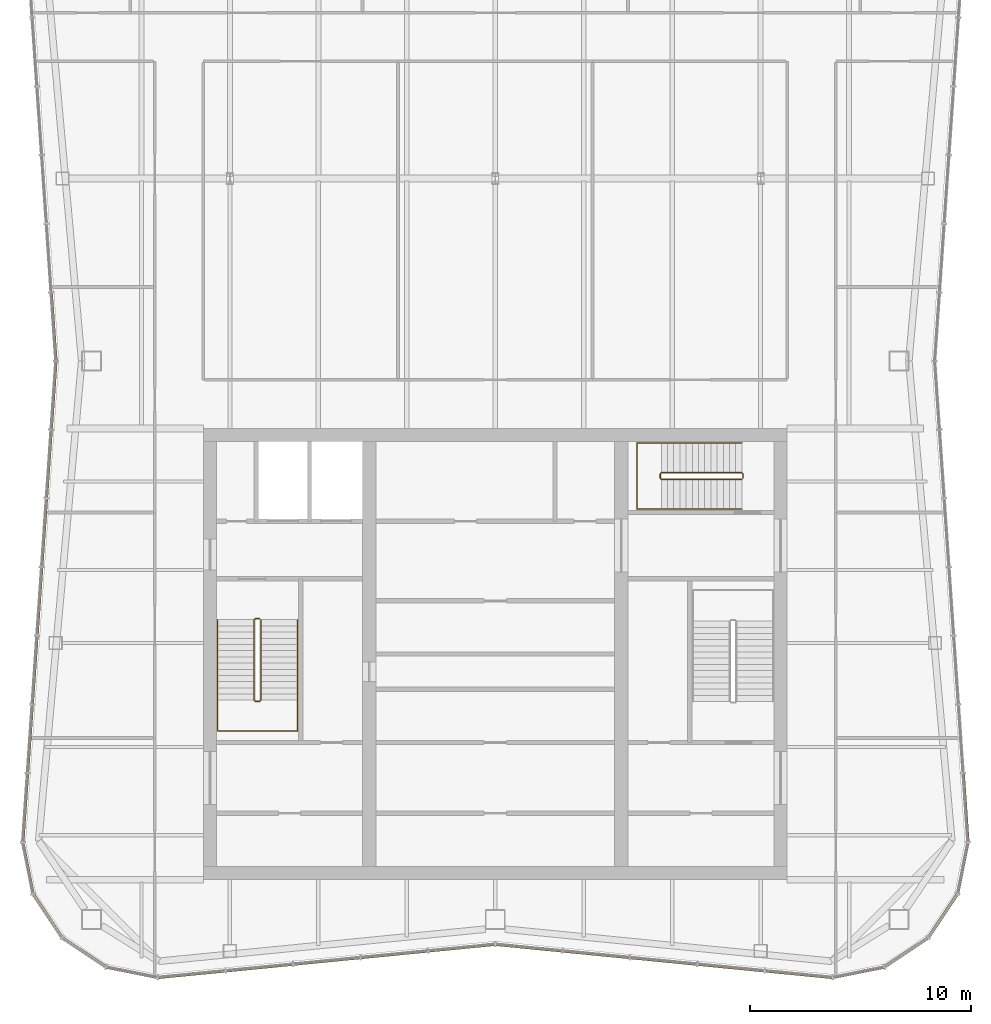
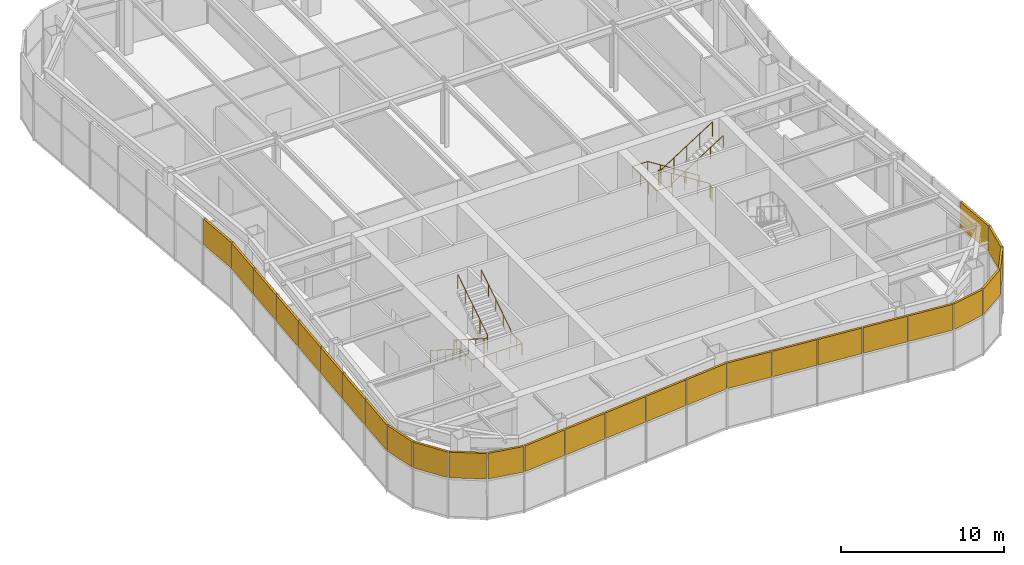
# One storey, part 12 of 13: 27 shading devices, 4 railings, 5 elements without a shape of their own.
"""IFC4 building model written with IfcOpenShell, lengths in metres."""

from ifc_helpers import new_model, si_unit, direction, frame, origin, origin_2d, place, context, subcontext, project, spatial, rectangle, circle, extrude, material, layer, layer_set, type_object, element, aggregate, save


model = new_model("IFC4")

# Units and contexts
model_context = context("Model", 3, precision=1e-05, world=origin(), true_north=direction((0.0, 1.0)))
body_context = subcontext(model_context, "Body", "Model", "MODEL_VIEW")
ifc_project = project(units=[si_unit("LENGTHUNIT", "METRE"), si_unit("AREAUNIT", "SQUARE_METRE"), si_unit("VOLUMEUNIT", "CUBIC_METRE"), si_unit("PLANEANGLEUNIT", "RADIAN"), si_unit("MASSUNIT", "GRAM", prefix="KILO")], contexts=[model_context])

# Site, building, storey
site_placement = place(None, origin())
site = spatial("IfcSite", under=ifc_project, at=site_placement, CompositionType="ELEMENT")
building_placement = place(site_placement, origin())
building = spatial("IfcBuilding", under=site, at=building_placement, Name="Verdant Reach Tower", CompositionType="ELEMENT")
storey_placement = place(building_placement, frame((0.0, 0.0, 349.5)))
storey = spatial("IfcBuildingStorey", under=building, at=storey_placement, Name="L79 Plant", CompositionType="ELEMENT", Elevation=349.5)

# Railings
ifc_material_1 = material(Name="Stainless steel", Category="steel")
railing_type_1 = type_object("IfcRailingType", Name="CO-GUARD", PredefinedType="GUARDRAIL", material=ifc_material_1)
railing_1_placement = place(storey_placement, frame((-10.64990234375, 29.60009765625, 0.0)))
element("IfcRailing", 1, at=railing_1_placement, inside=storey, type_object=railing_type_1, Name="L79 Plant ST-1 stair guard 1", PredefinedType="GUARDRAIL", context=body_context, shape_type="SweptSolid", body=[
    extrude(circle(Radius=0.02392578125, at=origin_2d()), frame((0.0, 0.0, 1.076171875), z_axis=(-1.0, 0.0, 0.0), x_axis=(0.0, -1.0, 0.0)), (0.0, 0.0, 1.0), 0.2001953125),
    extrude(circle(Radius=0.02392578125, at=origin_2d()), frame((-0.2001953125, 0.0, 1.076171875), z_axis=(-0.25949872427, -0.26077077684, 0.929870428634), x_axis=(0.708833529934, -0.705375805398, 0.0)), (0.0, 0.0, 1.0), 0.19189453125),
    extrude(circle(Radius=0.02392578125, at=origin_2d()), frame((-0.25, -0.050048828125, 1.25439453125), z_axis=(0.0, -0.843127859045, 0.537713132908), x_axis=(1.0, 0.0, 0.0)), (0.0, 0.0, 1.0), 4.3173828125),
    extrude(circle(Radius=0.02392578125, at=origin_2d()), frame((-0.25, -3.690185546875, 3.576171875), z_axis=(0.707106781187, -0.707106781187, 0.0), x_axis=(0.707106781187, 0.707106781187, 0.0)), (0.0, 0.0, 1.0), 0.0703125),
    extrude(circle(Radius=0.02392578125, at=origin_2d()), frame((-0.2001953125, -3.739990234375, 3.576171875), z_axis=(1.0, 0.0, 0.0), x_axis=(0.0, 1.0, 0.0)), (0.0, 0.0, 1.0), 0.2001953125),
    extrude(circle(Radius=0.02392578125, at=origin_2d()), frame((0.0, -3.739990234375, 3.576171875), z_axis=(0.259584636361, 0.259584636361, 0.930178280294), x_axis=(-0.707106781187, 0.707106781187, 0.0)), (0.0, 0.0, 1.0), 0.19189453125),
    extrude(circle(Radius=0.02392578125, at=origin_2d()), frame((0.0498046875, -3.690185546875, 3.75439453125), z_axis=(0.0, 0.843127859045, 0.537713132908), x_axis=(-1.0, 0.0, 0.0)), (0.0, 0.0, 1.0), 4.3173828125),
    extrude(circle(Radius=0.02099609375, at=origin_2d()), origin(), (0.0, 0.0, 1.0), 1.052001953125),
    extrude(circle(Radius=0.02099609375, at=origin_2d()), frame((-0.2001953125, 0.0, 0.0)), (0.0, 0.0, 1.0), 1.052001953125),
    extrude(circle(Radius=0.02099609375, at=origin_2d()), frame((-0.25, -0.050048828125, 0.178466796875)), (0.0, 0.0, 1.0), 1.052001953125),
    extrude(circle(Radius=0.02099609375, at=origin_2d()), frame((-0.25, -0.9599609375, 0.7587890625)), (0.0, 0.0, 1.0), 1.052001953125),
    extrude(circle(Radius=0.02099609375, at=origin_2d()), frame((-0.25, -1.8701171875, 1.33935546875)), (0.0, 0.0, 1.0), 1.052001953125),
    extrude(circle(Radius=0.02099609375, at=origin_2d()), frame((-0.25, -2.7802734375, 1.919677734375)), (0.0, 0.0, 1.0), 1.052001953125),
    extrude(circle(Radius=0.02099609375, at=origin_2d()), frame((-0.25, -3.690185546875, 2.5)), (0.0, 0.0, 1.0), 1.052001953125),
    extrude(circle(Radius=0.02099609375, at=origin_2d()), frame((-0.2001953125, -3.739990234375, 2.5)), (0.0, 0.0, 1.0), 1.052001953125),
    extrude(circle(Radius=0.02099609375, at=origin_2d()), frame((0.0, -3.739990234375, 2.5)), (0.0, 0.0, 1.0), 1.052001953125),
    extrude(circle(Radius=0.02099609375, at=origin_2d()), frame((0.0498046875, -3.690185546875, 2.678466796875)), (0.0, 0.0, 1.0), 1.052001953125),
    extrude(circle(Radius=0.02099609375, at=origin_2d()), frame((0.0498046875, -2.7802734375, 3.2587890625)), (0.0, 0.0, 1.0), 1.052001953125),
    extrude(circle(Radius=0.02099609375, at=origin_2d()), frame((0.0498046875, -1.8701171875, 3.83935546875)), (0.0, 0.0, 1.0), 1.052001953125),
    extrude(circle(Radius=0.02099609375, at=origin_2d()), frame((0.0498046875, -0.9599609375, 4.419677734375)), (0.0, 0.0, 1.0), 1.052001953125),
    extrude(circle(Radius=0.02099609375, at=origin_2d()), frame((0.0498046875, -0.050048828125, 5.0)), (0.0, 0.0, 1.0), 1.052001953125),
])
railing_2_placement = place(storey_placement, frame((11.199951171875, 35.949951171875, 0.0)))
element("IfcRailing", 2, at=railing_2_placement, inside=storey, type_object=railing_type_1, Name="L79 Plant ST-3 stair guard 1", PredefinedType="GUARDRAIL", context=body_context, shape_type="SweptSolid", body=[
    extrude(circle(Radius=0.02392578125, at=origin_2d()), frame((0.0, 0.0, 1.076171875), z_axis=(0.0, 1.0, 0.0), x_axis=(-1.0, 0.0, 0.0)), (0.0, 0.0, 1.0), 0.199951171875),
    extrude(circle(Radius=0.02392578125, at=origin_2d()), frame((0.0, 0.199951171875, 1.076171875), z_axis=(-0.260684529273, 0.260684529273, 0.929562882432), x_axis=(-0.707106781187, -0.707106781187, 0.0)), (0.0, 0.0, 1.0), 0.19189453125),
    extrude(circle(Radius=0.02392578125, at=origin_2d()), frame((-0.050048828125, 0.25, 1.25439453125), z_axis=(-0.843111507901, 0.0, 0.53773877045), x_axis=(0.0, -1.0, 0.0)), (0.0, 0.0, 1.0), 4.317138671875),
    extrude(circle(Radius=0.02392578125, at=origin_2d()), frame((-3.68994140625, 0.25, 3.576171875), z_axis=(-0.707106781187, -0.707106781187, 0.0), x_axis=(0.707106781187, -0.707106781187, 0.0)), (0.0, 0.0, 1.0), 0.07080078125),
    extrude(circle(Radius=0.02392578125, at=origin_2d()), frame((-3.739990234375, 0.199951171875, 3.576171875), z_axis=(0.0, -1.0, 0.0), x_axis=(1.0, 0.0, 0.0)), (0.0, 0.0, 1.0), 0.199951171875),
    extrude(circle(Radius=0.02392578125, at=origin_2d()), frame((-3.739990234375, 0.0, 3.576171875), z_axis=(0.260684529273, -0.260684529273, 0.929562882432), x_axis=(0.707106781187, 0.707106781187, 0.0)), (0.0, 0.0, 1.0), 0.19189453125),
    extrude(circle(Radius=0.02392578125, at=origin_2d()), frame((-3.68994140625, -0.050048828125, 3.75439453125), z_axis=(0.843111507901, 0.0, 0.53773877045), x_axis=(0.0, 1.0, 0.0)), (0.0, 0.0, 1.0), 4.317138671875),
    extrude(circle(Radius=0.02099609375, at=origin_2d()), origin(), (0.0, 0.0, 1.0), 1.052001953125),
    extrude(circle(Radius=0.02099609375, at=origin_2d()), frame((0.0, 0.199951171875, 0.0)), (0.0, 0.0, 1.0), 1.052001953125),
    extrude(circle(Radius=0.02099609375, at=origin_2d()), frame((-0.050048828125, 0.25, 0.178466796875)), (0.0, 0.0, 1.0), 1.052001953125),
    extrude(circle(Radius=0.02099609375, at=origin_2d()), frame((-0.9599609375, 0.25, 0.7587890625)), (0.0, 0.0, 1.0), 1.052001953125),
    extrude(circle(Radius=0.02099609375, at=origin_2d()), frame((-1.8701171875, 0.25, 1.33935546875)), (0.0, 0.0, 1.0), 1.052001953125),
    extrude(circle(Radius=0.02099609375, at=origin_2d()), frame((-2.780029296875, 0.25, 1.919677734375)), (0.0, 0.0, 1.0), 1.052001953125),
    extrude(circle(Radius=0.02099609375, at=origin_2d()), frame((-3.68994140625, 0.25, 2.5)), (0.0, 0.0, 1.0), 1.052001953125),
    extrude(circle(Radius=0.02099609375, at=origin_2d()), frame((-3.739990234375, 0.199951171875, 2.5)), (0.0, 0.0, 1.0), 1.052001953125),
    extrude(circle(Radius=0.02099609375, at=origin_2d()), frame((-3.739990234375, 0.0, 2.5)), (0.0, 0.0, 1.0), 1.052001953125),
    extrude(circle(Radius=0.02099609375, at=origin_2d()), frame((-3.68994140625, -0.050048828125, 2.678466796875)), (0.0, 0.0, 1.0), 1.052001953125),
    extrude(circle(Radius=0.02099609375, at=origin_2d()), frame((-2.780029296875, -0.050048828125, 3.2587890625)), (0.0, 0.0, 1.0), 1.052001953125),
    extrude(circle(Radius=0.02099609375, at=origin_2d()), frame((-1.8701171875, -0.050048828125, 3.83935546875)), (0.0, 0.0, 1.0), 1.052001953125),
    extrude(circle(Radius=0.02099609375, at=origin_2d()), frame((-0.9599609375, -0.050048828125, 4.419677734375)), (0.0, 0.0, 1.0), 1.052001953125),
    extrude(circle(Radius=0.02099609375, at=origin_2d()), frame((-0.050048828125, -0.050048828125, 5.0)), (0.0, 0.0, 1.0), 1.052001953125),
])
railing_type_2 = type_object("IfcRailingType", Name="CO-HANDRAIL", PredefinedType="HANDRAIL", material=ifc_material_1)
railing_3_placement = place(storey_placement, frame((-12.550048828125, 29.550048828125, 0.178466796875)))
element("IfcRailing", 3, at=railing_3_placement, inside=storey, type_object=railing_type_2, Name="L79 Plant ST-1 stair handrail 1", PredefinedType="HANDRAIL", context=body_context, shape_type="SweptSolid", body=[
    extrude(circle(Radius=0.02392578125, at=origin_2d()), frame((0.0, 0.0, 0.8759765625), z_axis=(0.0, -0.843127859045, 0.537713132908), x_axis=(1.0, 0.0, 0.0)), (0.0, 0.0, 1.0), 4.3173828125),
    extrude(circle(Radius=0.02392578125, at=origin_2d()), frame((0.0, -3.64013671875, 3.197265625), z_axis=(0.0, -1.0, 0.0), x_axis=(1.0, 0.0, 0.0)), (0.0, 0.0, 1.0), 1.39990234375),
    extrude(circle(Radius=0.02392578125, at=origin_2d()), frame((0.0, -5.0400390625, 3.197265625), z_axis=(1.0, 0.0, 0.0), x_axis=(0.0, 1.0, 0.0)), (0.0, 0.0, 1.0), 3.60009765625),
    extrude(circle(Radius=0.02392578125, at=origin_2d()), frame((3.60009765625, -5.0400390625, 3.197265625), z_axis=(0.0, 1.0, 0.0), x_axis=(-1.0, 0.0, 0.0)), (0.0, 0.0, 1.0), 1.39990234375),
    extrude(circle(Radius=0.02392578125, at=origin_2d()), frame((3.60009765625, -3.64013671875, 3.197265625), z_axis=(0.0, 0.0, 1.0), x_axis=(1.0, 0.0, 0.0)), (0.0, 0.0, 1.0), 0.178466796875),
    extrude(circle(Radius=0.02392578125, at=origin_2d()), frame((3.60009765625, -3.64013671875, 3.3759765625), z_axis=(0.0, 0.843127859045, 0.537713132908), x_axis=(-1.0, 0.0, 0.0)), (0.0, 0.0, 1.0), 4.3173828125),
    extrude(circle(Radius=0.02099609375, at=origin_2d()), origin(), (0.0, 0.0, 1.0), 0.851806640625),
    extrude(circle(Radius=0.02099609375, at=origin_2d()), frame((0.0, -0.91015625, 0.580322265625)), (0.0, 0.0, 1.0), 0.851806640625),
    extrude(circle(Radius=0.02099609375, at=origin_2d()), frame((0.0, -1.820068359375, 1.16064453125)), (0.0, 0.0, 1.0), 0.851806640625),
    extrude(circle(Radius=0.02099609375, at=origin_2d()), frame((0.0, -2.72998046875, 1.7412109375)), (0.0, 0.0, 1.0), 0.851806640625),
    extrude(circle(Radius=0.02099609375, at=origin_2d()), frame((0.0, -3.64013671875, 2.321533203125)), (0.0, 0.0, 1.0), 0.851806640625),
    extrude(circle(Radius=0.02099609375, at=origin_2d()), frame((0.0, -4.340087890625, 2.321533203125)), (0.0, 0.0, 1.0), 0.851806640625),
    extrude(circle(Radius=0.02099609375, at=origin_2d()), frame((0.0, -5.0400390625, 2.321533203125)), (0.0, 0.0, 1.0), 0.851806640625),
    extrude(circle(Radius=0.02099609375, at=origin_2d()), frame((0.89990234375, -5.0400390625, 2.321533203125)), (0.0, 0.0, 1.0), 0.851806640625),
    extrude(circle(Radius=0.02099609375, at=origin_2d()), frame((1.800048828125, -5.0400390625, 2.321533203125)), (0.0, 0.0, 1.0), 0.851806640625),
    extrude(circle(Radius=0.02099609375, at=origin_2d()), frame((2.7001953125, -5.0400390625, 2.321533203125)), (0.0, 0.0, 1.0), 0.851806640625),
    extrude(circle(Radius=0.02099609375, at=origin_2d()), frame((3.60009765625, -5.0400390625, 2.321533203125)), (0.0, 0.0, 1.0), 0.851806640625),
    extrude(circle(Radius=0.02099609375, at=origin_2d()), frame((3.60009765625, -4.340087890625, 2.321533203125)), (0.0, 0.0, 1.0), 0.851806640625),
    extrude(circle(Radius=0.02099609375, at=origin_2d()), frame((3.60009765625, -3.64013671875, 2.321533203125)), (0.0, 0.0, 1.0), 0.851806640625),
    extrude(circle(Radius=0.02099609375, at=origin_2d()), frame((3.60009765625, -3.64013671875, 2.5)), (0.0, 0.0, 1.0), 0.851806640625),
    extrude(circle(Radius=0.02099609375, at=origin_2d()), frame((3.60009765625, -2.72998046875, 3.080322265625)), (0.0, 0.0, 1.0), 0.851806640625),
    extrude(circle(Radius=0.02099609375, at=origin_2d()), frame((3.60009765625, -1.820068359375, 3.66064453125)), (0.0, 0.0, 1.0), 0.851806640625),
    extrude(circle(Radius=0.02099609375, at=origin_2d()), frame((3.60009765625, -0.91015625, 4.2412109375)), (0.0, 0.0, 1.0), 0.851806640625),
    extrude(circle(Radius=0.02099609375, at=origin_2d()), frame((3.60009765625, 0.0, 4.821533203125)), (0.0, 0.0, 1.0), 0.851806640625),
])
railing_4_placement = place(storey_placement, frame((11.14990234375, 37.550048828125, 0.178466796875)))
element("IfcRailing", 4, at=railing_4_placement, inside=storey, type_object=railing_type_2, Name="L79 Plant ST-3 stair handrail 1", PredefinedType="HANDRAIL", context=body_context, shape_type="SweptSolid", body=[
    extrude(circle(Radius=0.02392578125, at=origin_2d()), frame((0.0, 0.0, 0.8759765625), z_axis=(-0.843111507901, 0.0, 0.53773877045), x_axis=(0.0, -1.0, 0.0)), (0.0, 0.0, 1.0), 4.317138671875),
    extrude(circle(Radius=0.02392578125, at=origin_2d()), frame((-3.639892578125, 0.0, 3.197265625), z_axis=(-1.0, 0.0, 0.0), x_axis=(0.0, -1.0, 0.0)), (0.0, 0.0, 1.0), 1.10009765625),
    extrude(circle(Radius=0.02392578125, at=origin_2d()), frame((-4.739990234375, 0.0, 3.197265625), z_axis=(0.0, -1.0, 0.0), x_axis=(1.0, 0.0, 0.0)), (0.0, 0.0, 1.0), 3.0),
    extrude(circle(Radius=0.02392578125, at=origin_2d()), frame((-4.739990234375, -3.0, 3.197265625), z_axis=(1.0, 0.0, 0.0), x_axis=(0.0, 1.0, 0.0)), (0.0, 0.0, 1.0), 1.10009765625),
    extrude(circle(Radius=0.02392578125, at=origin_2d()), frame((-3.639892578125, -3.0, 3.197265625), z_axis=(0.0, 0.0, 1.0), x_axis=(1.0, 0.0, 0.0)), (0.0, 0.0, 1.0), 0.178466796875),
    extrude(circle(Radius=0.02392578125, at=origin_2d()), frame((-3.639892578125, -3.0, 3.3759765625), z_axis=(0.843111507901, 0.0, 0.53773877045), x_axis=(0.0, 1.0, 0.0)), (0.0, 0.0, 1.0), 4.317138671875),
    extrude(circle(Radius=0.02099609375, at=origin_2d()), origin(), (0.0, 0.0, 1.0), 0.851806640625),
    extrude(circle(Radius=0.02099609375, at=origin_2d()), frame((-0.909912109375, 0.0, 0.580322265625)), (0.0, 0.0, 1.0), 0.851806640625),
    extrude(circle(Radius=0.02099609375, at=origin_2d()), frame((-1.81982421875, 0.0, 1.16064453125)), (0.0, 0.0, 1.0), 0.851806640625),
    extrude(circle(Radius=0.02099609375, at=origin_2d()), frame((-2.72998046875, 0.0, 1.7412109375)), (0.0, 0.0, 1.0), 0.851806640625),
    extrude(circle(Radius=0.02099609375, at=origin_2d()), frame((-3.639892578125, 0.0, 2.321533203125)), (0.0, 0.0, 1.0), 0.851806640625),
    extrude(circle(Radius=0.02099609375, at=origin_2d()), frame((-4.739990234375, 0.0, 2.321533203125)), (0.0, 0.0, 1.0), 0.851806640625),
    extrude(circle(Radius=0.02099609375, at=origin_2d()), frame((-4.739990234375, -1.0, 2.321533203125)), (0.0, 0.0, 1.0), 0.851806640625),
    extrude(circle(Radius=0.02099609375, at=origin_2d()), frame((-4.739990234375, -2.0, 2.321533203125)), (0.0, 0.0, 1.0), 0.851806640625),
    extrude(circle(Radius=0.02099609375, at=origin_2d()), frame((-4.739990234375, -3.0, 2.321533203125)), (0.0, 0.0, 1.0), 0.851806640625),
    extrude(circle(Radius=0.02099609375, at=origin_2d()), frame((-3.639892578125, -3.0, 2.321533203125)), (0.0, 0.0, 1.0), 0.851806640625),
    extrude(circle(Radius=0.02099609375, at=origin_2d()), frame((-3.639892578125, -3.0, 2.5)), (0.0, 0.0, 1.0), 0.851806640625),
    extrude(circle(Radius=0.02099609375, at=origin_2d()), frame((-2.72998046875, -3.0, 3.080322265625)), (0.0, 0.0, 1.0), 0.851806640625),
    extrude(circle(Radius=0.02099609375, at=origin_2d()), frame((-1.81982421875, -3.0, 3.66064453125)), (0.0, 0.0, 1.0), 0.851806640625),
    extrude(circle(Radius=0.02099609375, at=origin_2d()), frame((-0.909912109375, -3.0, 4.2412109375)), (0.0, 0.0, 1.0), 0.851806640625),
    extrude(circle(Radius=0.02099609375, at=origin_2d()), frame((0.0, -3.0, 4.821533203125)), (0.0, 0.0, 1.0), 0.851806640625),
])

# Curtain wall, shading devices
ifc_material_2 = material(Name="Anodised aluminium", Category="aluminium")
curtain_wall_type = type_object("IfcCurtainWallType", Name="EN-CW SYSTEM PLANT", PredefinedType="NOTDEFINED", material=ifc_material_2)
curtain_wall_1_placement = place(storey_placement, origin())
curtain_wall_1 = element("IfcCurtainWall", 5, at=curtain_wall_1_placement, inside=storey, type_object=curtain_wall_type, Name="Curtain wall south-east corner, L79", PredefinedType="NOTDEFINED")
ifc_material_3 = material(Name="Bronze anodised aluminium louvre", Category="aluminium")
ifc_layer = layer(ifc_material_3, 0.14990234375)
ifc_layer_set = layer_set([ifc_layer], Name="EN-LOUVRE")
shading_device_type = type_object("IfcShadingDeviceType", Name="EN-LOUVRE", PredefinedType="USERDEFINED", material=ifc_layer_set)
shading_device_1_placement = place(storey_placement, frame((16.423828125, 13.614013671875, 2.72509765625), z_axis=(0.0, 0.0, 1.0), x_axis=(0.980705120874, 0.195492879387, 0.0)))
shading_device_1 = element("IfcShadingDevice", 6, at=shading_device_1_placement, type_object=shading_device_type, Name="Louvre bank south-east corner 1, L79", ObjectType="LOUVRE", PredefinedType="USERDEFINED", context=body_context, shape_type="SweptSolid", body=[
    extrude(rectangle(XDim=2.3056640625, YDim=0.14990234375, at=origin_2d()), origin(), (0.0, 0.0, 1.0), 1.925048828125),
])
shading_device_2_placement = place(storey_placement, frame((18.584228515625, 14.510009765625, 2.72509765625), z_axis=(0.0, 0.0, 1.0), x_axis=(0.83145208321, 0.555596466265, 0.0)))
shading_device_2 = element("IfcShadingDevice", 7, at=shading_device_2_placement, type_object=shading_device_type, Name="Louvre bank south-east corner 2, L79", ObjectType="LOUVRE", PredefinedType="USERDEFINED", context=body_context, shape_type="SweptSolid", body=[
    extrude(rectangle(XDim=2.3115234375, YDim=0.14990234375, at=origin_2d()), origin(), (0.0, 0.0, 1.0), 1.925048828125),
])
shading_device_3_placement = place(storey_placement, frame((20.239990234375, 16.165771484375, 2.72509765625), z_axis=(0.0, 0.0, 1.0), x_axis=(0.555596466265, 0.83145208321, 0.0)))
shading_device_3 = element("IfcShadingDevice", 8, at=shading_device_3_placement, type_object=shading_device_type, Name="Louvre bank south-east corner 3, L79", ObjectType="LOUVRE", PredefinedType="USERDEFINED", context=body_context, shape_type="SweptSolid", body=[
    extrude(rectangle(XDim=2.3115234375, YDim=0.14990234375, at=origin_2d()), origin(), (0.0, 0.0, 1.0), 1.925048828125),
])
shading_device_4_placement = place(storey_placement, frame((21.135986328125, 18.325439453125, 2.72509765625), z_axis=(0.0, 0.0, 1.0), x_axis=(0.195592962334, 0.980685165119, 0.0)))
shading_device_4 = element("IfcShadingDevice", 9, at=shading_device_4_placement, type_object=shading_device_type, Name="Louvre bank south-east corner 4, L79", ObjectType="LOUVRE", PredefinedType="USERDEFINED", context=body_context, shape_type="SweptSolid", body=[
    extrude(rectangle(XDim=2.303955078125, YDim=0.14990234375, at=origin_2d()), origin(), (0.0, 0.0, 1.0), 1.925048828125),
])
aggregate(curtain_wall_1, [shading_device_1, shading_device_2, shading_device_3, shading_device_4])

# Curtain wall, shading device
curtain_wall_2_placement = place(storey_placement, origin())
curtain_wall_2 = element("IfcCurtainWall", 10, at=curtain_wall_2_placement, inside=storey, type_object=curtain_wall_type, Name="Curtain wall east, L79", PredefinedType="NOTDEFINED")
shading_device_5_placement = place(storey_placement, frame((21.261474609375, 21.053955078125, 2.72509765625), z_axis=(0.0, 0.0, 1.0), x_axis=(-0.068469163133, 0.997653233193, 0.0)))
shading_device_5 = element("IfcShadingDevice", 11, at=shading_device_5_placement, type_object=shading_device_type, Name="Louvre bank east face part 1 1, L79", ObjectType="LOUVRE", PredefinedType="USERDEFINED", context=body_context, shape_type="SweptSolid", body=[
    extrude(rectangle(XDim=3.05419921875, YDim=0.14990234375, at=origin_2d()), origin(), (0.0, 0.0, 1.0), 1.925048828125),
])
aggregate(curtain_wall_2, [shading_device_5])

# Curtain wall, shading devices
curtain_wall_3_placement = place(storey_placement, origin())
curtain_wall_3 = element("IfcCurtainWall", 12, at=curtain_wall_3_placement, inside=storey, type_object=curtain_wall_type, Name="Curtain wall west, L79", PredefinedType="NOTDEFINED")
shading_device_6_placement = place(storey_placement, frame((-19.97607421875, 42.799560546875, 2.72509765625), z_axis=(0.0, 0.0, 1.0), x_axis=(0.068892655483, -0.997624078509, 0.0)))
shading_device_6 = element("IfcShadingDevice", 13, at=shading_device_6_placement, type_object=shading_device_type, Name="Louvre bank west face part 1 7, L79", ObjectType="LOUVRE", PredefinedType="USERDEFINED", context=body_context, shape_type="SweptSolid", body=[
    extrude(rectangle(XDim=3.0302734375, YDim=0.14990234375, at=origin_2d()), origin(), (0.0, 0.0, 1.0), 1.925048828125),
])
shading_device_7_placement = place(storey_placement, frame((-19.97607421875, 39.700439453125, 2.72509765625), z_axis=(0.0, 0.0, 1.0), x_axis=(-0.068892655483, -0.997624078509, 0.0)))
shading_device_7 = element("IfcShadingDevice", 14, at=shading_device_7_placement, type_object=shading_device_type, Name="Louvre bank west face part 2 1, L79", ObjectType="LOUVRE", PredefinedType="USERDEFINED", context=body_context, shape_type="SweptSolid", body=[
    extrude(rectangle(XDim=3.0302734375, YDim=0.14990234375, at=origin_2d()), origin(), (0.0, 0.0, 1.0), 1.925048828125),
])
shading_device_8_placement = place(storey_placement, frame((-20.190185546875, 36.597412109375, 2.72509765625), z_axis=(0.0, 0.0, 1.0), x_axis=(-0.068802091615, -0.997630328423, 0.0)))
shading_device_8 = element("IfcShadingDevice", 15, at=shading_device_8_placement, type_object=shading_device_type, Name="Louvre bank west face part 2 2, L79", ObjectType="LOUVRE", PredefinedType="USERDEFINED", context=body_context, shape_type="SweptSolid", body=[
    extrude(rectangle(XDim=3.03857421875, YDim=0.14990234375, at=origin_2d()), origin(), (0.0, 0.0, 1.0), 1.925048828125),
])
shading_device_9_placement = place(storey_placement, frame((-20.404541015625, 33.490234375, 2.72509765625), z_axis=(0.0, 0.0, 1.0), x_axis=(-0.068802091615, -0.997630328423, 0.0)))
shading_device_9 = element("IfcShadingDevice", 16, at=shading_device_9_placement, type_object=shading_device_type, Name="Louvre bank west face part 2 3, L79", ObjectType="LOUVRE", PredefinedType="USERDEFINED", context=body_context, shape_type="SweptSolid", body=[
    extrude(rectangle(XDim=3.03857421875, YDim=0.14990234375, at=origin_2d()), origin(), (0.0, 0.0, 1.0), 1.925048828125),
])
shading_device_10_placement = place(storey_placement, frame((-20.61865234375, 30.38330078125, 2.72509765625), z_axis=(0.0, 0.0, 1.0), x_axis=(-0.068802091615, -0.997630328423, 0.0)))
shading_device_10 = element("IfcShadingDevice", 17, at=shading_device_10_placement, type_object=shading_device_type, Name="Louvre bank west face part 2 4, L79", ObjectType="LOUVRE", PredefinedType="USERDEFINED", context=body_context, shape_type="SweptSolid", body=[
    extrude(rectangle(XDim=3.03857421875, YDim=0.14990234375, at=origin_2d()), origin(), (0.0, 0.0, 1.0), 1.925048828125),
])
shading_device_11_placement = place(storey_placement, frame((-20.8330078125, 27.276123046875, 2.72509765625), z_axis=(0.0, 0.0, 1.0), x_axis=(-0.068802091615, -0.997630328423, 0.0)))
shading_device_11 = element("IfcShadingDevice", 18, at=shading_device_11_placement, type_object=shading_device_type, Name="Louvre bank west face part 2 5, L79", ObjectType="LOUVRE", PredefinedType="USERDEFINED", context=body_context, shape_type="SweptSolid", body=[
    extrude(rectangle(XDim=3.03857421875, YDim=0.14990234375, at=origin_2d()), origin(), (0.0, 0.0, 1.0), 1.925048828125),
])
shading_device_12_placement = place(storey_placement, frame((-21.04736328125, 24.1689453125, 2.72509765625), z_axis=(0.0, 0.0, 1.0), x_axis=(-0.068802091615, -0.997630328423, 0.0)))
shading_device_12 = element("IfcShadingDevice", 19, at=shading_device_12_placement, type_object=shading_device_type, Name="Louvre bank west face part 2 6, L79", ObjectType="LOUVRE", PredefinedType="USERDEFINED", context=body_context, shape_type="SweptSolid", body=[
    extrude(rectangle(XDim=3.03857421875, YDim=0.14990234375, at=origin_2d()), origin(), (0.0, 0.0, 1.0), 1.925048828125),
])
shading_device_13_placement = place(storey_placement, frame((-21.261474609375, 21.053955078125, 2.72509765625), z_axis=(0.0, 0.0, 1.0), x_axis=(-0.068469163133, -0.997653233193, 0.0)))
shading_device_13 = element("IfcShadingDevice", 20, at=shading_device_13_placement, type_object=shading_device_type, Name="Louvre bank west face part 2 7, L79", ObjectType="LOUVRE", PredefinedType="USERDEFINED", context=body_context, shape_type="SweptSolid", body=[
    extrude(rectangle(XDim=3.05419921875, YDim=0.14990234375, at=origin_2d()), origin(), (0.0, 0.0, 1.0), 1.925048828125),
])
aggregate(curtain_wall_3, [shading_device_6, shading_device_7, shading_device_8, shading_device_9, shading_device_10, shading_device_11, shading_device_12, shading_device_13])

curtain_wall_4_placement = place(storey_placement, origin())
curtain_wall_4 = element("IfcCurtainWall", 21, at=curtain_wall_4_placement, inside=storey, type_object=curtain_wall_type, Name="Curtain wall south-west corner, L79", PredefinedType="NOTDEFINED")
shading_device_14_placement = place(storey_placement, frame((-21.135986328125, 18.325439453125, 2.72509765625), z_axis=(0.0, 0.0, 1.0), x_axis=(0.195592962334, -0.980685165119, 0.0)))
shading_device_14 = element("IfcShadingDevice", 22, at=shading_device_14_placement, type_object=shading_device_type, Name="Louvre bank south-west corner 1, L79", ObjectType="LOUVRE", PredefinedType="USERDEFINED", context=body_context, shape_type="SweptSolid", body=[
    extrude(rectangle(XDim=2.303955078125, YDim=0.14990234375, at=origin_2d()), origin(), (0.0, 0.0, 1.0), 1.925048828125),
])
shading_device_15_placement = place(storey_placement, frame((-20.239990234375, 16.165771484375, 2.72509765625), z_axis=(0.0, 0.0, 1.0), x_axis=(0.555596466265, -0.83145208321, 0.0)))
shading_device_15 = element("IfcShadingDevice", 23, at=shading_device_15_placement, type_object=shading_device_type, Name="Louvre bank south-west corner 2, L79", ObjectType="LOUVRE", PredefinedType="USERDEFINED", context=body_context, shape_type="SweptSolid", body=[
    extrude(rectangle(XDim=2.3115234375, YDim=0.14990234375, at=origin_2d()), origin(), (0.0, 0.0, 1.0), 1.925048828125),
])
shading_device_16_placement = place(storey_placement, frame((-18.584228515625, 14.510009765625, 2.72509765625), z_axis=(0.0, 0.0, 1.0), x_axis=(0.83145208321, -0.555596466265, 0.0)))
shading_device_16 = element("IfcShadingDevice", 24, at=shading_device_16_placement, type_object=shading_device_type, Name="Louvre bank south-west corner 3, L79", ObjectType="LOUVRE", PredefinedType="USERDEFINED", context=body_context, shape_type="SweptSolid", body=[
    extrude(rectangle(XDim=2.3115234375, YDim=0.14990234375, at=origin_2d()), origin(), (0.0, 0.0, 1.0), 1.925048828125),
])
shading_device_17_placement = place(storey_placement, frame((-16.423828125, 13.614013671875, 2.72509765625), z_axis=(0.0, 0.0, 1.0), x_axis=(0.980705120874, -0.195492879387, 0.0)))
shading_device_17 = element("IfcShadingDevice", 25, at=shading_device_17_placement, type_object=shading_device_type, Name="Louvre bank south-west corner 4, L79", ObjectType="LOUVRE", PredefinedType="USERDEFINED", context=body_context, shape_type="SweptSolid", body=[
    extrude(rectangle(XDim=2.3056640625, YDim=0.14990234375, at=origin_2d()), origin(), (0.0, 0.0, 1.0), 1.925048828125),
])
aggregate(curtain_wall_4, [shading_device_14, shading_device_15, shading_device_16, shading_device_17])

curtain_wall_5_placement = place(storey_placement, origin())
curtain_wall_5 = element("IfcCurtainWall", 26, at=curtain_wall_5_placement, inside=storey, type_object=curtain_wall_type, Name="Curtain wall south, L79", PredefinedType="NOTDEFINED")
shading_device_18_placement = place(storey_placement, frame((-13.72216796875, 13.53125, 2.72509765625), z_axis=(0.0, 0.0, 1.0), x_axis=(0.995238191716, 0.097472774402, 0.0)))
shading_device_18 = element("IfcShadingDevice", 27, at=shading_device_18_placement, type_object=shading_device_type, Name="Louvre bank south face part 1 1, L79", ObjectType="LOUVRE", PredefinedType="USERDEFINED", context=body_context, shape_type="SweptSolid", body=[
    extrude(rectangle(XDim=3.006103515625, YDim=0.14990234375, at=origin_2d()), origin(), (0.0, 0.0, 1.0), 1.925048828125),
])
shading_device_19_placement = place(storey_placement, frame((-10.663330078125, 13.83154296875, 2.72509765625), z_axis=(0.0, 0.0, 1.0), x_axis=(0.995197410875, 0.09788826992, 0.0)))
shading_device_19 = element("IfcShadingDevice", 28, at=shading_device_19_placement, type_object=shading_device_type, Name="Louvre bank south face part 1 2, L79", ObjectType="LOUVRE", PredefinedType="USERDEFINED", context=body_context, shape_type="SweptSolid", body=[
    extrude(rectangle(XDim=2.98876953125, YDim=0.14990234375, at=origin_2d()), origin(), (0.0, 0.0, 1.0), 1.925048828125),
])
shading_device_20_placement = place(storey_placement, frame((-7.61328125, 14.131591796875, 2.72509765625), z_axis=(0.0, 0.0, 1.0), x_axis=(0.995197410875, 0.09788826992, 0.0)))
shading_device_20 = element("IfcShadingDevice", 29, at=shading_device_20_placement, type_object=shading_device_type, Name="Louvre bank south face part 1 3, L79", ObjectType="LOUVRE", PredefinedType="USERDEFINED", context=body_context, shape_type="SweptSolid", body=[
    extrude(rectangle(XDim=2.98876953125, YDim=0.14990234375, at=origin_2d()), origin(), (0.0, 0.0, 1.0), 1.925048828125),
])
shading_device_21_placement = place(storey_placement, frame((-4.563232421875, 14.431640625, 2.72509765625), z_axis=(0.0, 0.0, 1.0), x_axis=(0.995197410875, 0.09788826992, 0.0)))
shading_device_21 = element("IfcShadingDevice", 30, at=shading_device_21_placement, type_object=shading_device_type, Name="Louvre bank south face part 1 4, L79", ObjectType="LOUVRE", PredefinedType="USERDEFINED", context=body_context, shape_type="SweptSolid", body=[
    extrude(rectangle(XDim=2.98876953125, YDim=0.14990234375, at=origin_2d()), origin(), (0.0, 0.0, 1.0), 1.925048828125),
])
shading_device_22_placement = place(storey_placement, frame((-1.519287109375, 14.731201171875, 2.72509765625), z_axis=(0.0, 0.0, 1.0), x_axis=(0.995179069607, 0.098074560493, 0.0)))
shading_device_22 = element("IfcShadingDevice", 31, at=shading_device_22_placement, type_object=shading_device_type, Name="Louvre bank south face part 1 5, L79", ObjectType="LOUVRE", PredefinedType="USERDEFINED", context=body_context, shape_type="SweptSolid", body=[
    extrude(rectangle(XDim=2.97705078125, YDim=0.14990234375, at=origin_2d()), origin(), (0.0, 0.0, 1.0), 1.925048828125),
])
shading_device_23_placement = place(storey_placement, frame((1.519287109375, 14.731201171875, 2.72509765625), z_axis=(0.0, 0.0, 1.0), x_axis=(0.995179069607, -0.098074560493, 0.0)))
shading_device_23 = element("IfcShadingDevice", 32, at=shading_device_23_placement, type_object=shading_device_type, Name="Louvre bank south face part 2 1, L79", ObjectType="LOUVRE", PredefinedType="USERDEFINED", context=body_context, shape_type="SweptSolid", body=[
    extrude(rectangle(XDim=2.97705078125, YDim=0.14990234375, at=origin_2d()), origin(), (0.0, 0.0, 1.0), 1.925048828125),
])
shading_device_24_placement = place(storey_placement, frame((4.563232421875, 14.431640625, 2.72509765625), z_axis=(0.0, 0.0, 1.0), x_axis=(0.995197410875, -0.09788826992, 0.0)))
shading_device_24 = element("IfcShadingDevice", 33, at=shading_device_24_placement, type_object=shading_device_type, Name="Louvre bank south face part 2 2, L79", ObjectType="LOUVRE", PredefinedType="USERDEFINED", context=body_context, shape_type="SweptSolid", body=[
    extrude(rectangle(XDim=2.98876953125, YDim=0.14990234375, at=origin_2d()), origin(), (0.0, 0.0, 1.0), 1.925048828125),
])
shading_device_25_placement = place(storey_placement, frame((7.61328125, 14.131591796875, 2.72509765625), z_axis=(0.0, 0.0, 1.0), x_axis=(0.995197410875, -0.09788826992, 0.0)))
shading_device_25 = element("IfcShadingDevice", 34, at=shading_device_25_placement, type_object=shading_device_type, Name="Louvre bank south face part 2 3, L79", ObjectType="LOUVRE", PredefinedType="USERDEFINED", context=body_context, shape_type="SweptSolid", body=[
    extrude(rectangle(XDim=2.98876953125, YDim=0.14990234375, at=origin_2d()), origin(), (0.0, 0.0, 1.0), 1.925048828125),
])
shading_device_26_placement = place(storey_placement, frame((10.663330078125, 13.83154296875, 2.72509765625), z_axis=(0.0, 0.0, 1.0), x_axis=(0.995197410875, -0.09788826992, 0.0)))
shading_device_26 = element("IfcShadingDevice", 35, at=shading_device_26_placement, type_object=shading_device_type, Name="Louvre bank south face part 2 4, L79", ObjectType="LOUVRE", PredefinedType="USERDEFINED", context=body_context, shape_type="SweptSolid", body=[
    extrude(rectangle(XDim=2.98876953125, YDim=0.14990234375, at=origin_2d()), origin(), (0.0, 0.0, 1.0), 1.925048828125),
])
shading_device_27_placement = place(storey_placement, frame((13.72216796875, 13.53125, 2.72509765625), z_axis=(0.0, 0.0, 1.0), x_axis=(0.995238191716, -0.097472774402, 0.0)))
shading_device_27 = element("IfcShadingDevice", 36, at=shading_device_27_placement, type_object=shading_device_type, Name="Louvre bank south face part 2 5, L79", ObjectType="LOUVRE", PredefinedType="USERDEFINED", context=body_context, shape_type="SweptSolid", body=[
    extrude(rectangle(XDim=3.006103515625, YDim=0.14990234375, at=origin_2d()), origin(), (0.0, 0.0, 1.0), 1.925048828125),
])
aggregate(curtain_wall_5, [shading_device_18, shading_device_19, shading_device_20, shading_device_21, shading_device_22, shading_device_23, shading_device_24, shading_device_25, shading_device_26, shading_device_27])

save(model, "model.ifc")
